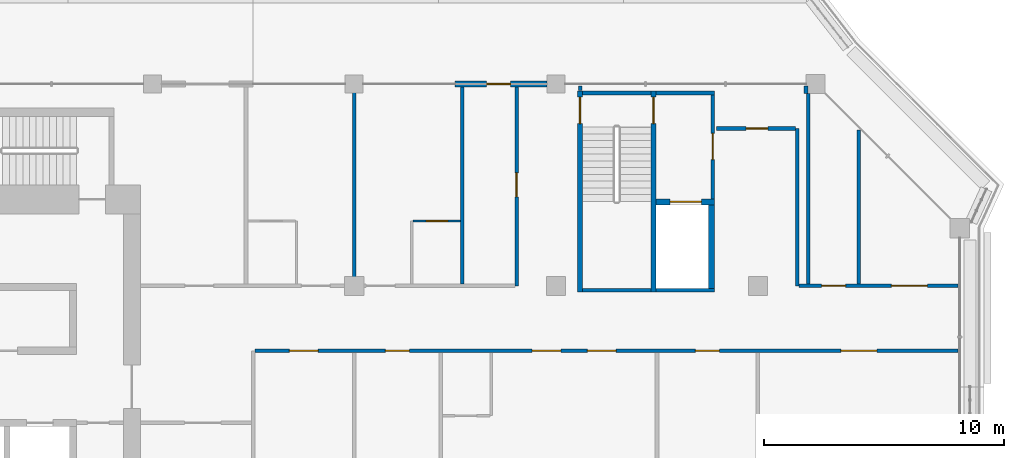
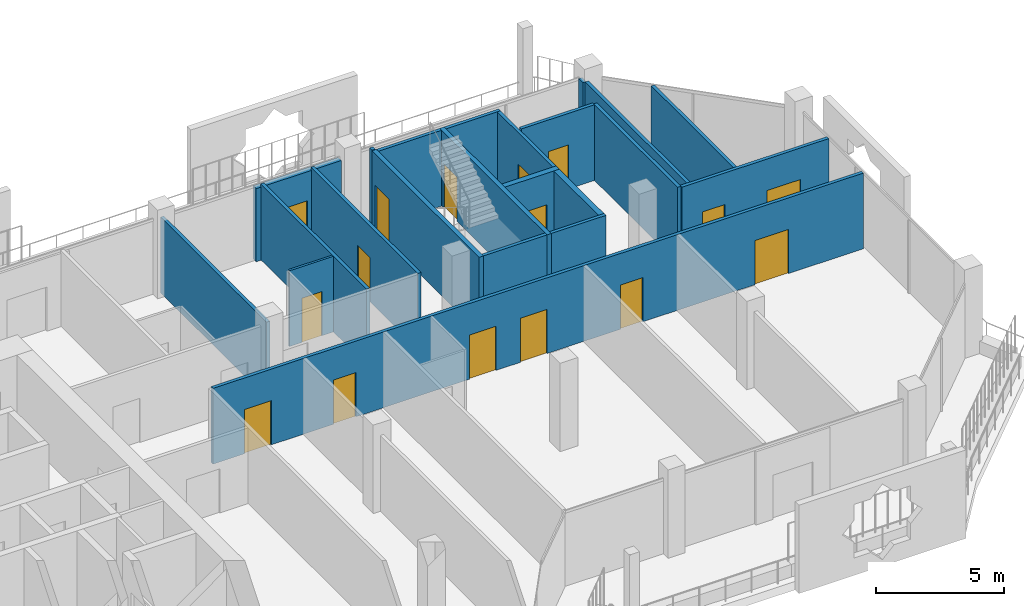
# One storey, part 13 of 21: 22 walls, 16 doors, 16 openings.
"""IFC4 building model written with IfcOpenShell, lengths in metres."""

from ifc_helpers import new_model, si_unit, direction, frame, frame_2d, origin, place, context, subcontext, project, spatial, rectangle, extrude, material, layer, layer_set, type_object, element, fill, save


model = new_model("IFC4")

# Units and contexts
model_context = context("Model", 3, precision=1e-05, world=origin(), true_north=direction((0.0, 1.0)))
body_context = subcontext(model_context, "Body", "Model", "MODEL_VIEW")
ifc_project = project(units=[si_unit("LENGTHUNIT", "METRE"), si_unit("AREAUNIT", "SQUARE_METRE"), si_unit("VOLUMEUNIT", "CUBIC_METRE"), si_unit("PLANEANGLEUNIT", "RADIAN"), si_unit("MASSUNIT", "GRAM", prefix="KILO")], contexts=[model_context])

# Site, building, storey
site_placement = place(None, origin())
site = spatial("IfcSite", under=ifc_project, at=site_placement, CompositionType="ELEMENT")
building_placement = place(site_placement, origin())
building = spatial("IfcBuilding", under=site, at=building_placement, Name="Kawkab Arch Medical Tower", CompositionType="ELEMENT")
storey_placement = place(building_placement, frame((0.0, 0.0, 307.0)))
storey = spatial("IfcBuildingStorey", under=building, at=storey_placement, Name="L71", CompositionType="ELEMENT", Elevation=307.0)

# Wall, opening, door
ifc_material_1 = material(Name="Gypsum board on steel studs", Category="steel")
ifc_layer_1 = layer(ifc_material_1, 0.14990234375)
ifc_layer_set_1 = layer_set([ifc_layer_1], Name="Gypsum board on steel studs")
wall_type_1 = type_object("IfcWallType", Name="Core room partition 150", PredefinedType="PARTITIONING", material=ifc_layer_set_1)
wall_1_placement = place(storey_placement, frame((48.52490234375, -4.77490234375, 0.0), z_axis=(0.0, 0.0, 1.0), x_axis=(0.0, 1.0, 0.0)))
wall_1 = element("IfcWall", 1, at=wall_1_placement, inside=storey, type_object=wall_type_1, Name="L71 core room partition", PredefinedType="PARTITIONING", context=body_context, shape_type="SweptSolid", body=[
    extrude(rectangle(XDim=4.324951171875, YDim=0.14990234375, at=frame_2d((2.16259765625, 0.0))), origin(), (0.0, 0.0, 1.0), 3.60009765625),
])
opening_1_placement = place(wall_1_placement, frame((1.625, 0.0, 0.0)))
opening_1 = element("IfcOpeningElement", 2, at=opening_1_placement, cuts=wall_1, Name="Opening FD", PredefinedType="OPENING", context=body_context, shape_type="SweptSolid", body=[
    extrude(rectangle(XDim=1.10009765625, YDim=2.10009765625, at=frame_2d((0.550048828125, 1.050048828125))), frame((0.0, 0.0849609375, 0.0), z_axis=(0.0, -1.0, 0.0), x_axis=(1.0, 0.0, 0.0)), (0.0, 0.0, 1.0), 0.169921875),
])
ifc_material_2 = material(Name="Hollow metal fire door leaf")
door_type_1 = type_object("IfcDoorType", Name="Firefighting lobby door 1100", OperationType="SINGLE_SWING_LEFT", PredefinedType="DOOR", material=ifc_material_2)
door_1_placement = place(opening_1_placement, origin())
door_1 = element("IfcDoor", 3, at=door_1_placement, inside=storey, type_object=door_type_1, Name="L71 Service lift lobby door SV1", OperationType="SINGLE_SWING_LEFT", OverallHeight=2.10009765625, OverallWidth=1.10009765625, PredefinedType="DOOR", context=body_context, shape_type="SweptSolid", body=[
    extrude(rectangle(XDim=1.10009765625, YDim=2.10009765625, at=frame_2d((0.550048828125, 1.050048828125))), frame((0.0, 0.02490234375, 0.0), z_axis=(0.0, -1.0, 0.0), x_axis=(1.0, 0.0, 0.0)), (0.0, 0.0, 1.0), 0.050048828125),
])
fill(opening_1, door_1)

ifc_material_3 = material(Name="Concrete C60/75", Category="concrete")
ifc_layer_2 = layer(ifc_material_3, 0.25)
ifc_layer_set_2 = layer_set([ifc_layer_2], Name="Concrete C60/75")
wall_type_2 = type_object("IfcWallType", Name="Core shear wall 250 C60/75", PredefinedType="SHEAR", material=ifc_layer_set_2)
wall_2_placement = place(storey_placement, frame((46.14990234375, -4.89990234375, 0.0), z_axis=(0.0, 0.0, 1.0), x_axis=(1.0, 0.0, 0.0)))
wall_2 = element("IfcWall", 4, at=wall_2_placement, inside=storey, type_object=wall_type_2, Name="L71 core shear wall", PredefinedType="SHEAR", context=body_context, shape_type="SweptSolid", body=[
    extrude(rectangle(XDim=2.4501953125, YDim=0.25, at=frame_2d((1.22509765625, 0.0))), origin(), (0.0, 0.0, 1.0), 3.60009765625),
])
opening_2_placement = place(wall_2_placement, frame((0.60009765625, 0.0, 0.0)))
opening_2 = element("IfcOpeningElement", 5, at=opening_2_placement, cuts=wall_2, Name="Opening LD2", PredefinedType="OPENING", context=body_context, shape_type="SweptSolid", body=[
    extrude(rectangle(XDim=1.300048828125, YDim=2.10009765625, at=frame_2d((0.64990234375, 1.050048828125))), frame((0.0, 0.135009765625, 0.0), z_axis=(0.0, -1.0, 0.0), x_axis=(1.0, 0.0, 0.0)), (0.0, 0.0, 1.0), 0.27001953125),
])
ifc_material_4 = material(Name="Stainless steel lift door leaf", Category="steel")
door_type_2 = type_object("IfcDoorType", Name="Lift landing door 1300", OperationType="DOUBLE_DOOR_SLIDING", PredefinedType="DOOR", material=ifc_material_4)
door_2_placement = place(opening_2_placement, origin())
door_2 = element("IfcDoor", 6, at=door_2_placement, inside=storey, type_object=door_type_2, Name="L71 Lift landing door SV1", OperationType="DOUBLE_DOOR_SLIDING", OverallHeight=2.10009765625, OverallWidth=1.300048828125, PredefinedType="DOOR", context=body_context, shape_type="SweptSolid", body=[
    extrude(rectangle(XDim=1.300048828125, YDim=2.10009765625, at=frame_2d((0.64990234375, 1.050048828125))), frame((0.0, 0.02490234375, 0.0), z_axis=(0.0, -1.0, 0.0), x_axis=(1.0, 0.0, 0.0)), (0.0, 0.0, 1.0), 0.050048828125),
])
fill(opening_2, door_2)

# Wall
wall_3_placement = place(storey_placement, frame((48.47509765625, -8.5, 0.0), z_axis=(0.0, 0.0, 1.0), x_axis=(0.0, 1.0, 0.0)))
element("IfcWall", 7, at=wall_3_placement, inside=storey, type_object=wall_type_2, Name="L71 core shear wall", PredefinedType="SHEAR", context=body_context, shape_type="SweptSolid", body=[
    extrude(rectangle(XDim=3.47509765625, YDim=0.25, at=frame_2d((1.737548828125, 0.0))), origin(), (0.0, 0.0, 1.0), 3.60009765625),
])

# Wall, opening, door
ifc_material_5 = material(Name="Bronze clad insulated wall panel")
ifc_layer_3 = layer(ifc_material_5, 0.25)
ifc_layer_set_3 = layer_set([ifc_layer_3], Name="Bronze clad insulated wall panel")
wall_type_3 = type_object("IfcWallType", Name="External wall bay 250", PredefinedType="SOLIDWALL", material=ifc_layer_set_3)
wall_4_placement = place(storey_placement, frame((41.625, 0.0, 0.0), z_axis=(0.0, 0.0, 1.0), x_axis=(-1.0, 0.0, 0.0)))
wall_4 = element("IfcWall", 8, at=wall_4_placement, inside=storey, type_object=wall_type_3, Name="External wall bay L71.R15.2.1", PredefinedType="SOLIDWALL", context=body_context, shape_type="SweptSolid", body=[
    extrude(rectangle(XDim=3.824951171875, YDim=0.25, at=frame_2d((1.91259765625, 0.0))), origin(), (0.0, 0.0, 1.0), 3.47998046875),
])
opening_3_placement = place(wall_4_placement, frame((1.512451171875, 0.0, 0.0)))
opening_3 = element("IfcOpeningElement", 9, at=opening_3_placement, cuts=wall_4, Name="Opening W71-702", PredefinedType="OPENING", context=body_context, shape_type="SweptSolid", body=[
    extrude(rectangle(XDim=1.0, YDim=2.10009765625, at=frame_2d((0.5, 1.050048828125))), frame((0.0, 0.135009765625, 0.0), z_axis=(0.0, -1.0, 0.0), x_axis=(1.0, 0.0, 0.0)), (0.0, 0.0, 1.0), 0.27001953125),
])
ifc_material_6 = material(Name="Bronze anodised aluminium door with tinted glass", Category="aluminium")
door_type_3 = type_object("IfcDoorType", Name="Single external door 1000 x 2100", OperationType="SINGLE_SWING_LEFT", PredefinedType="DOOR", material=ifc_material_6)
door_3_placement = place(opening_3_placement, origin())
door_3 = element("IfcDoor", 10, at=door_3_placement, inside=storey, type_object=door_type_3, Name="External door L71.R15.2.1", OperationType="SINGLE_SWING_LEFT", OverallHeight=2.10009765625, OverallWidth=1.0, PredefinedType="DOOR", context=body_context, shape_type="SweptSolid", body=[
    extrude(rectangle(XDim=1.0, YDim=2.10009765625, at=frame_2d((0.5, 1.050048828125))), frame((0.0, 0.02490234375, 0.0), z_axis=(0.0, -1.0, 0.0), x_axis=(1.0, 0.0, 0.0)), (0.0, 0.0, 1.0), 0.050048828125),
])
fill(opening_3, door_3)

ifc_material_7 = material(Name="Gypsum board partition on steel studs", Category="steel")
ifc_layer_4 = layer(ifc_material_7, 0.10009765625)
ifc_layer_set_4 = layer_set([ifc_layer_4], Name="Gypsum board partition on steel studs")
wall_type_4 = type_object("IfcWallType", Name="Partition 100", PredefinedType="PARTITIONING", material=ifc_layer_set_4)
wall_5_placement = place(storey_placement, frame((36.050048828125, -5.699951171875, 0.0), z_axis=(0.0, 0.0, 1.0), x_axis=(1.0, 0.0, 0.0)))
wall_5 = element("IfcWall", 11, at=wall_5_placement, inside=storey, type_object=wall_type_4, Name="Partition 100 w003", PredefinedType="PARTITIONING", context=body_context, shape_type="SweptSolid", body=[
    extrude(rectangle(XDim=1.974853515625, YDim=0.10009765625, at=frame_2d((0.9873046875, 0.0))), origin(), (0.0, 0.0, 1.0), 3.60009765625),
])
opening_4_placement = place(wall_5_placement, frame((0.550048828125, 0.0, 0.0)))
opening_4 = element("IfcOpeningElement", 12, at=opening_4_placement, cuts=wall_5, Name="Opening W71-005", PredefinedType="OPENING", context=body_context, shape_type="SweptSolid", body=[
    extrude(rectangle(XDim=0.89990234375, YDim=2.10009765625, at=frame_2d((0.449951171875, 1.050048828125))), frame((0.0, 0.06005859375, 0.0), z_axis=(0.0, -1.0, 0.0), x_axis=(1.0, 0.0, 0.0)), (0.0, 0.0, 1.0), 0.1201171875),
])
ifc_material_8 = material(Name="Timber door leaf", Category="wood")
door_type_4 = type_object("IfcDoorType", Name="Single door 900x2100", OperationType="NOTDEFINED", PredefinedType="DOOR", material=ifc_material_8)
door_4_placement = place(opening_4_placement, origin())
door_4 = element("IfcDoor", 13, at=door_4_placement, inside=storey, type_object=door_type_4, Name="Door W71-005", OperationType="SINGLE_SWING_RIGHT", OverallHeight=2.10009765625, OverallWidth=0.89990234375, PredefinedType="DOOR", context=body_context, shape_type="SweptSolid", body=[
    extrude(rectangle(XDim=0.89990234375, YDim=2.10009765625, at=frame_2d((0.449951171875, 1.050048828125))), frame((0.0, 0.02490234375, 0.0), z_axis=(0.0, -1.0, 0.0), x_axis=(1.0, 0.0, 0.0)), (0.0, 0.0, 1.0), 0.050048828125),
])
fill(opening_4, door_4)

# Wall, openings, doors
ifc_material_9 = material(Name="Gypsum board partition on steel studs, mineral wool", Category="steel")
ifc_layer_5 = layer(ifc_material_9, 0.14990234375)
ifc_layer_set_5 = layer_set([ifc_layer_5], Name="Gypsum board partition on steel studs, mineral wool")
wall_type_5 = type_object("IfcWallType", Name="Partition 150", PredefinedType="PARTITIONING", material=ifc_layer_set_5)
wall_6_placement = place(storey_placement, frame((29.47509765625, -11.10009765625, 0.0), z_axis=(0.0, 0.0, 1.0), x_axis=(1.0, 0.0, 0.0)))
wall_6 = element("IfcWall", 14, at=wall_6_placement, inside=storey, type_object=wall_type_5, Name="Partition 150 w014", PredefinedType="PARTITIONING", context=body_context, shape_type="SweptSolid", body=[
    extrude(rectangle(XDim=29.244873046875, YDim=0.14990234375, at=frame_2d((14.62255859375, 0.0))), origin(), (0.0, 0.0, 1.0), 3.60009765625),
])
opening_5_placement = place(wall_6_placement, frame((1.425048828125, 0.0, 0.0)))
opening_5 = element("IfcOpeningElement", 15, at=opening_5_placement, cuts=wall_6, Name="Opening W71-018", PredefinedType="OPENING", context=body_context, shape_type="SweptSolid", body=[
    extrude(rectangle(XDim=1.199951171875, YDim=2.10009765625, at=frame_2d((0.60009765625, 1.050048828125))), frame((0.0, 0.0849609375, 0.0), z_axis=(0.0, -1.0, 0.0), x_axis=(1.0, 0.0, 0.0)), (0.0, 0.0, 1.0), 0.169921875),
])
opening_6_placement = place(wall_6_placement, frame((5.425048828125, 0.0, 0.0)))
opening_6 = element("IfcOpeningElement", 16, at=opening_6_placement, cuts=wall_6, Name="Opening W71-010", PredefinedType="OPENING", context=body_context, shape_type="SweptSolid", body=[
    extrude(rectangle(XDim=1.0, YDim=2.10009765625, at=frame_2d((0.5, 1.050048828125))), frame((0.0, 0.0849609375, 0.0), z_axis=(0.0, -1.0, 0.0), x_axis=(1.0, 0.0, 0.0)), (0.0, 0.0, 1.0), 0.169921875),
])
opening_7_placement = place(wall_6_placement, frame((13.824951171875, 0.0, 0.0)))
opening_7 = element("IfcOpeningElement", 17, at=opening_7_placement, cuts=wall_6, Name="Opening W71-019", PredefinedType="OPENING", context=body_context, shape_type="SweptSolid", body=[
    extrude(rectangle(XDim=1.199951171875, YDim=2.10009765625, at=frame_2d((0.60009765625, 1.050048828125))), frame((0.0, 0.0849609375, 0.0), z_axis=(0.0, -1.0, 0.0), x_axis=(1.0, 0.0, 0.0)), (0.0, 0.0, 1.0), 0.169921875),
])
opening_8_placement = place(wall_6_placement, frame((11.52490234375, 0.0, 0.0)))
opening_8 = element("IfcOpeningElement", 18, at=opening_8_placement, cuts=wall_6, Name="Opening W71-020", PredefinedType="OPENING", context=body_context, shape_type="SweptSolid", body=[
    extrude(rectangle(XDim=1.199951171875, YDim=2.10009765625, at=frame_2d((0.60009765625, 1.050048828125))), frame((0.0, 0.0849609375, 0.0), z_axis=(0.0, -1.0, 0.0), x_axis=(1.0, 0.0, 0.0)), (0.0, 0.0, 1.0), 0.169921875),
])
opening_9_placement = place(wall_6_placement, frame((18.324951171875, 0.0, 0.0)))
opening_9 = element("IfcOpeningElement", 19, at=opening_9_placement, cuts=wall_6, Name="Opening W71-011", PredefinedType="OPENING", context=body_context, shape_type="SweptSolid", body=[
    extrude(rectangle(XDim=1.0, YDim=2.10009765625, at=frame_2d((0.5, 1.050048828125))), frame((0.0, 0.0849609375, 0.0), z_axis=(0.0, -1.0, 0.0), x_axis=(1.0, 0.0, 0.0)), (0.0, 0.0, 1.0), 0.169921875),
])
opening_10_placement = place(wall_6_placement, frame((24.375, 0.0, 0.0)))
opening_10 = element("IfcOpeningElement", 20, at=opening_10_placement, cuts=wall_6, Name="Opening W71-002", PredefinedType="OPENING", context=body_context, shape_type="SweptSolid", body=[
    extrude(rectangle(XDim=1.5, YDim=2.10009765625, at=frame_2d((0.75, 1.050048828125))), frame((0.0, 0.0849609375, 0.0), z_axis=(0.0, -1.0, 0.0), x_axis=(1.0, 0.0, 0.0)), (0.0, 0.0, 1.0), 0.169921875),
])
ifc_material_10 = material(Name="Hollow metal door leaf")
door_type_5 = type_object("IfcDoorType", Name="Double door 1500x2100 FD30S", OperationType="NOTDEFINED", PredefinedType="DOOR", material=ifc_material_10)
door_5_placement = place(opening_10_placement, origin())
door_5 = element("IfcDoor", 21, at=door_5_placement, inside=storey, type_object=door_type_5, Name="Door W71-002", OperationType="DOUBLE_DOOR_SINGLE_SWING", OverallHeight=2.10009765625, OverallWidth=1.5, PredefinedType="DOOR", context=body_context, shape_type="SweptSolid", body=[
    extrude(rectangle(XDim=1.5, YDim=2.10009765625, at=frame_2d((0.75, 1.050048828125))), frame((0.0, 0.02490234375, 0.0), z_axis=(0.0, -1.0, 0.0), x_axis=(1.0, 0.0, 0.0)), (0.0, 0.0, 1.0), 0.050048828125),
])
fill(opening_10, door_5)
ifc_material_11 = material(Name="Hollow metal door leaf")
door_type_6 = type_object("IfcDoorType", Name="Single door 1000x2100 FD30S", OperationType="NOTDEFINED", PredefinedType="DOOR", material=ifc_material_11)
door_6_placement = place(opening_6_placement, origin())
door_6 = element("IfcDoor", 22, at=door_6_placement, inside=storey, type_object=door_type_6, Name="Door W71-010", OperationType="SINGLE_SWING_RIGHT", OverallHeight=2.10009765625, OverallWidth=1.0, PredefinedType="DOOR", context=body_context, shape_type="SweptSolid", body=[
    extrude(rectangle(XDim=1.0, YDim=2.10009765625, at=frame_2d((0.5, 1.050048828125))), frame((0.0, 0.02490234375, 0.0), z_axis=(0.0, -1.0, 0.0), x_axis=(1.0, 0.0, 0.0)), (0.0, 0.0, 1.0), 0.050048828125),
])
fill(opening_6, door_6)
door_7_placement = place(opening_9_placement, origin())
door_7 = element("IfcDoor", 23, at=door_7_placement, inside=storey, type_object=door_type_6, Name="Door W71-011", OperationType="SINGLE_SWING_LEFT", OverallHeight=2.10009765625, OverallWidth=1.0, PredefinedType="DOOR", context=body_context, shape_type="SweptSolid", body=[
    extrude(rectangle(XDim=1.0, YDim=2.10009765625, at=frame_2d((0.5, 1.050048828125))), frame((0.0, 0.02490234375, 0.0), z_axis=(0.0, -1.0, 0.0), x_axis=(1.0, 0.0, 0.0)), (0.0, 0.0, 1.0), 0.050048828125),
])
fill(opening_9, door_7)
ifc_material_12 = material(Name="Hollow metal door leaf")
door_type_7 = type_object("IfcDoorType", Name="Single door 1200x2100 FD30S", OperationType="NOTDEFINED", PredefinedType="DOOR", material=ifc_material_12)
door_8_placement = place(opening_5_placement, origin())
door_8 = element("IfcDoor", 24, at=door_8_placement, inside=storey, type_object=door_type_7, Name="Door W71-018", OperationType="SINGLE_SWING_RIGHT", OverallHeight=2.10009765625, OverallWidth=1.199951171875, PredefinedType="DOOR", context=body_context, shape_type="SweptSolid", body=[
    extrude(rectangle(XDim=1.199951171875, YDim=2.10009765625, at=frame_2d((0.60009765625, 1.050048828125))), frame((0.0, 0.02490234375, 0.0), z_axis=(0.0, -1.0, 0.0), x_axis=(1.0, 0.0, 0.0)), (0.0, 0.0, 1.0), 0.050048828125),
])
fill(opening_5, door_8)
door_9_placement = place(opening_7_placement, origin())
door_9 = element("IfcDoor", 25, at=door_9_placement, inside=storey, type_object=door_type_7, Name="Door W71-019", OperationType="SINGLE_SWING_LEFT", OverallHeight=2.10009765625, OverallWidth=1.199951171875, PredefinedType="DOOR", context=body_context, shape_type="SweptSolid", body=[
    extrude(rectangle(XDim=1.199951171875, YDim=2.10009765625, at=frame_2d((0.60009765625, 1.050048828125))), frame((0.0, 0.02490234375, 0.0), z_axis=(0.0, -1.0, 0.0), x_axis=(1.0, 0.0, 0.0)), (0.0, 0.0, 1.0), 0.050048828125),
])
fill(opening_7, door_9)
door_10_placement = place(opening_8_placement, origin())
door_10 = element("IfcDoor", 26, at=door_10_placement, inside=storey, type_object=door_type_7, Name="Door W71-020", OperationType="SINGLE_SWING_RIGHT", OverallHeight=2.10009765625, OverallWidth=1.199951171875, PredefinedType="DOOR", context=body_context, shape_type="SweptSolid", body=[
    extrude(rectangle(XDim=1.199951171875, YDim=2.10009765625, at=frame_2d((0.60009765625, 1.050048828125))), frame((0.0, 0.02490234375, 0.0), z_axis=(0.0, -1.0, 0.0), x_axis=(1.0, 0.0, 0.0)), (0.0, 0.0, 1.0), 0.050048828125),
])
fill(opening_8, door_10)

wall_7_placement = place(storey_placement, frame((52.117919921875, -8.39990234375, 0.0), z_axis=(0.0, 0.0, 1.0), x_axis=(1.0, 0.0, 0.0)))
wall_7 = element("IfcWall", 27, at=wall_7_placement, inside=storey, type_object=wall_type_5, Name="Partition 150 w017", PredefinedType="PARTITIONING", context=body_context, shape_type="SweptSolid", body=[
    extrude(rectangle(XDim=6.60205078125, YDim=0.14990234375, at=frame_2d((3.301025390625, 0.0))), origin(), (0.0, 0.0, 1.0), 3.60009765625),
])
opening_11_placement = place(wall_7_placement, frame((0.931884765625, 0.0, 0.0)))
opening_11 = element("IfcOpeningElement", 28, at=opening_11_placement, cuts=wall_7, Name="Opening W71-008", PredefinedType="OPENING", context=body_context, shape_type="SweptSolid", body=[
    extrude(rectangle(XDim=1.0, YDim=2.10009765625, at=frame_2d((0.5, 1.050048828125))), frame((0.0, 0.0849609375, 0.0), z_axis=(0.0, -1.0, 0.0), x_axis=(1.0, 0.0, 0.0)), (0.0, 0.0, 1.0), 0.169921875),
])
opening_12_placement = place(wall_7_placement, frame((3.83203125, 0.0, 0.0)))
opening_12 = element("IfcOpeningElement", 29, at=opening_12_placement, cuts=wall_7, Name="Opening W71-003", PredefinedType="OPENING", context=body_context, shape_type="SweptSolid", body=[
    extrude(rectangle(XDim=1.5, YDim=2.10009765625, at=frame_2d((0.75, 1.050048828125))), frame((0.0, 0.0849609375, 0.0), z_axis=(0.0, -1.0, 0.0), x_axis=(1.0, 0.0, 0.0)), (0.0, 0.0, 1.0), 0.169921875),
])
door_11_placement = place(opening_12_placement, origin())
door_11 = element("IfcDoor", 30, at=door_11_placement, inside=storey, type_object=door_type_5, Name="Door W71-003", OperationType="DOUBLE_DOOR_SINGLE_SWING", OverallHeight=2.10009765625, OverallWidth=1.5, PredefinedType="DOOR", context=body_context, shape_type="SweptSolid", body=[
    extrude(rectangle(XDim=1.5, YDim=2.10009765625, at=frame_2d((0.75, 1.050048828125))), frame((0.0, 0.02490234375, 0.0), z_axis=(0.0, -1.0, 0.0), x_axis=(1.0, 0.0, 0.0)), (0.0, 0.0, 1.0), 0.050048828125),
])
fill(opening_12, door_11)
ifc_material_13 = material(Name="Timber door leaf", Category="wood")
door_type_8 = type_object("IfcDoorType", Name="Single door 1000x2100", OperationType="NOTDEFINED", PredefinedType="DOOR", material=ifc_material_13)
door_12_placement = place(opening_11_placement, origin())
door_12 = element("IfcDoor", 31, at=door_12_placement, inside=storey, type_object=door_type_8, Name="Door W71-008", OperationType="SINGLE_SWING_LEFT", OverallHeight=2.10009765625, OverallWidth=1.0, PredefinedType="DOOR", context=body_context, shape_type="SweptSolid", body=[
    extrude(rectangle(XDim=1.0, YDim=2.10009765625, at=frame_2d((0.5, 1.050048828125))), frame((0.0, 0.02490234375, 0.0), z_axis=(0.0, -1.0, 0.0), x_axis=(1.0, 0.0, 0.0)), (0.0, 0.0, 1.0), 0.050048828125),
])
fill(opening_11, door_12)

# Wall, opening, door
wall_8_placement = place(storey_placement, frame((48.679931640625, -1.85009765625, 0.0), z_axis=(0.0, 0.0, 1.0), x_axis=(1.0, 0.0, 0.0)))
wall_8 = element("IfcWall", 32, at=wall_8_placement, inside=storey, type_object=wall_type_5, Name="Partition 150 w018", PredefinedType="PARTITIONING", context=body_context, shape_type="SweptSolid", body=[
    extrude(rectangle(XDim=3.2861328125, YDim=0.14990234375, at=frame_2d((1.64306640625, 0.0))), origin(), (0.0, 0.0, 1.0), 3.60009765625),
])
opening_13_placement = place(wall_8_placement, frame((1.22998046875, 0.0, 0.0)))
opening_13 = element("IfcOpeningElement", 33, at=opening_13_placement, cuts=wall_8, Name="Opening W71-007", PredefinedType="OPENING", context=body_context, shape_type="SweptSolid", body=[
    extrude(rectangle(XDim=0.89990234375, YDim=2.10009765625, at=frame_2d((0.449951171875, 1.050048828125))), frame((0.0, 0.0849609375, 0.0), z_axis=(0.0, -1.0, 0.0), x_axis=(1.0, 0.0, 0.0)), (0.0, 0.0, 1.0), 0.169921875),
])
door_13_placement = place(opening_13_placement, origin())
door_13 = element("IfcDoor", 34, at=door_13_placement, inside=storey, type_object=door_type_4, Name="Door W71-007", OperationType="SINGLE_SWING_RIGHT", OverallHeight=2.10009765625, OverallWidth=0.89990234375, PredefinedType="DOOR", context=body_context, shape_type="SweptSolid", body=[
    extrude(rectangle(XDim=0.89990234375, YDim=2.10009765625, at=frame_2d((0.449951171875, 1.050048828125))), frame((0.0, 0.02490234375, 0.0), z_axis=(0.0, -1.0, 0.0), x_axis=(1.0, 0.0, 0.0)), (0.0, 0.0, 1.0), 0.050048828125),
])
fill(opening_13, door_13)

# Walls
for number, where, z_axis, x_axis, name in (
    (35, (33.60009765625, -8.324951171875, 0.0), (0.0, 0.0, 1.0), (0.0, 1.0, 0.0), "Partition 150 w026"),
    (36, (38.10009765625, -8.324951171875, 0.0), (0.0, 0.0, 1.0), (0.0, 1.0, 0.0), "Partition 150 w028"),
):
    element("IfcWall", number, at=place(storey_placement, frame(where, z_axis=z_axis, x_axis=x_axis)), inside=storey, type_object=wall_type_5, Name=name, PredefinedType="PARTITIONING", context=body_context, shape_type="SweptSolid", body=[
        extrude(rectangle(XDim=8.244873046875, YDim=0.14990234375, at=frame_2d((4.12255859375, 0.0))), origin(), (0.0, 0.0, 1.0), 3.60009765625),
    ])

# Wall, opening, door
wall_9_placement = place(storey_placement, frame((40.35693359375, -8.39990234375, 0.0), z_axis=(0.0, 0.0, 1.0), x_axis=(0.0, 1.0, 0.0)))
wall_9 = element("IfcWall", 37, at=wall_9_placement, inside=storey, type_object=wall_type_5, Name="Partition 150 w029", PredefinedType="PARTITIONING", context=body_context, shape_type="SweptSolid", body=[
    extrude(rectangle(XDim=8.31982421875, YDim=0.14990234375, at=frame_2d((4.159912109375, 0.0))), origin(), (0.0, 0.0, 1.0), 3.60009765625),
])
opening_14_placement = place(wall_9_placement, frame((3.699951171875, 0.0, 0.0)))
opening_14 = element("IfcOpeningElement", 38, at=opening_14_placement, cuts=wall_9, Name="Opening W71-009", PredefinedType="OPENING", context=body_context, shape_type="SweptSolid", body=[
    extrude(rectangle(XDim=1.0, YDim=2.10009765625, at=frame_2d((0.5, 1.050048828125))), frame((0.0, 0.0849609375, 0.0), z_axis=(0.0, -1.0, 0.0), x_axis=(1.0, 0.0, 0.0)), (0.0, 0.0, 1.0), 0.169921875),
])
door_14_placement = place(opening_14_placement, origin())
door_14 = element("IfcDoor", 39, at=door_14_placement, inside=storey, type_object=door_type_6, Name="Door W71-009", OperationType="SINGLE_SWING_LEFT", OverallHeight=2.10009765625, OverallWidth=1.0, PredefinedType="DOOR", context=body_context, shape_type="SweptSolid", body=[
    extrude(rectangle(XDim=1.0, YDim=2.10009765625, at=frame_2d((0.5, 1.050048828125))), frame((0.0, 0.02490234375, 0.0), z_axis=(0.0, -1.0, 0.0), x_axis=(1.0, 0.0, 0.0)), (0.0, 0.0, 1.0), 0.050048828125),
])
fill(opening_14, door_14)

# Walls
wall_10_placement = place(storey_placement, frame((43.0, -0.27001953125, 0.0), z_axis=(0.0, 0.0, 1.0), x_axis=(0.0, 1.0, 0.0)))
element("IfcWall", 40, at=wall_10_placement, inside=storey, type_object=wall_type_5, Name="Partition 150 w030", PredefinedType="PARTITIONING", context=body_context, shape_type="SweptSolid", body=[
    extrude(rectangle(XDim=0.18994140625, YDim=0.14990234375, at=frame_2d((0.094970703125, 0.0))), origin(), (0.0, 0.0, 1.0), 3.60009765625),
])
wall_11_placement = place(storey_placement, frame((52.04296875, -8.39990234375, 0.0), z_axis=(0.0, 0.0, 1.0), x_axis=(0.0, 1.0, 0.0)))
element("IfcWall", 41, at=wall_11_placement, inside=storey, type_object=wall_type_5, Name="Partition 150 w033", PredefinedType="PARTITIONING", context=body_context, shape_type="SweptSolid", body=[
    extrude(rectangle(XDim=6.5478515625, YDim=0.14990234375, at=frame_2d((3.27392578125, 0.0))), origin(), (0.0, 0.0, 1.0), 3.60009765625),
])
wall_12_placement = place(storey_placement, frame((52.39990234375, -0.39990234375, 0.0), z_axis=(0.0, 0.0, 1.0), x_axis=(0.0, 1.0, 0.0)))
element("IfcWall", 42, at=wall_12_placement, inside=storey, type_object=wall_type_5, Name="Partition 150 w034", PredefinedType="PARTITIONING", context=body_context, shape_type="SweptSolid", body=[
    extrude(rectangle(XDim=0.31982421875, YDim=0.14990234375, at=frame_2d((0.159912109375, 0.0))), origin(), (0.0, 0.0, 1.0), 3.60009765625),
])
wall_13_placement = place(storey_placement, frame((52.5, -8.324951171875, 0.0), z_axis=(0.0, 0.0, 1.0), x_axis=(0.0, 1.0, 0.0)))
element("IfcWall", 43, at=wall_13_placement, inside=storey, type_object=wall_type_5, Name="Partition 150 w035", PredefinedType="PARTITIONING", context=body_context, shape_type="SweptSolid", body=[
    extrude(rectangle(XDim=7.9228515625, YDim=0.14990234375, at=frame_2d((3.96142578125, 0.0))), origin(), (0.0, 0.0, 1.0), 3.60009765625),
])
wall_14_placement = place(storey_placement, frame((54.60009765625, -8.324951171875, 0.0), z_axis=(0.0, 0.0, 1.0), x_axis=(0.0, 1.0, 0.0)))
element("IfcWall", 44, at=wall_14_placement, inside=storey, type_object=wall_type_5, Name="Partition 150 w036", PredefinedType="PARTITIONING", context=body_context, shape_type="SweptSolid", body=[
    extrude(rectangle(XDim=6.411865234375, YDim=0.14990234375, at=frame_2d((3.2060546875, 0.0))), origin(), (0.0, 0.0, 1.0), 3.60009765625),
])
ifc_material_14 = material(Name="Concrete C50/60", Category="concrete")
ifc_layer_6 = layer(ifc_material_14, 0.14990234375)
ifc_layer_set_6 = layer_set([ifc_layer_6], Name="Concrete C50/60")
wall_type_6 = type_object("IfcWallType", Name="Stair enclosure wall 150 C50/60", PredefinedType="SHEAR", material=ifc_layer_set_6)
wall_15_placement = place(storey_placement, frame((43.10009765625, -0.375, 0.0), z_axis=(0.0, 0.0, 1.0), x_axis=(1.0, 0.0, 0.0)))
element("IfcWall", 45, at=wall_15_placement, inside=storey, type_object=wall_type_6, Name="L71 stair enclosure wall", PredefinedType="SHEAR", context=body_context, shape_type="SweptSolid", body=[
    extrude(rectangle(XDim=2.849853515625, YDim=0.14990234375, at=frame_2d((1.4248046875, 0.0))), origin(), (0.0, 0.0, 1.0), 3.60009765625),
])
wall_16_placement = place(storey_placement, frame((46.14990234375, -0.375, 0.0), z_axis=(0.0, 0.0, 1.0), x_axis=(1.0, 0.0, 0.0)))
element("IfcWall", 46, at=wall_16_placement, inside=storey, type_object=wall_type_6, Name="L71 stair enclosure wall", PredefinedType="SHEAR", context=body_context, shape_type="SweptSolid", body=[
    extrude(rectangle(XDim=2.4501953125, YDim=0.14990234375, at=frame_2d((1.22509765625, 0.0))), origin(), (0.0, 0.0, 1.0), 3.60009765625),
])
wall_17_placement = place(storey_placement, frame((43.10009765625, -8.574951171875, 0.0), z_axis=(0.0, 0.0, 1.0), x_axis=(1.0, 0.0, 0.0)))
element("IfcWall", 47, at=wall_17_placement, inside=storey, type_object=wall_type_6, Name="L71 stair enclosure wall", PredefinedType="SHEAR", context=body_context, shape_type="SweptSolid", body=[
    extrude(rectangle(XDim=2.849853515625, YDim=0.14990234375, at=frame_2d((1.4248046875, 0.0))), origin(), (0.0, 0.0, 1.0), 3.60009765625),
])
wall_18_placement = place(storey_placement, frame((46.14990234375, -8.574951171875, 0.0), z_axis=(0.0, 0.0, 1.0), x_axis=(1.0, 0.0, 0.0)))
element("IfcWall", 48, at=wall_18_placement, inside=storey, type_object=wall_type_6, Name="L71 stair enclosure wall", PredefinedType="SHEAR", context=body_context, shape_type="SweptSolid", body=[
    extrude(rectangle(XDim=2.4501953125, YDim=0.14990234375, at=frame_2d((1.22509765625, 0.0))), origin(), (0.0, 0.0, 1.0), 3.60009765625),
])

# Wall, opening, door
ifc_material_15 = material(Name="Concrete C50/60", Category="concrete")
ifc_layer_7 = layer(ifc_material_15, 0.199951171875)
ifc_layer_set_7 = layer_set([ifc_layer_7], Name="Concrete C50/60")
wall_type_7 = type_object("IfcWallType", Name="Stair enclosure wall 200 C50/60", PredefinedType="SHEAR", material=ifc_layer_set_7)
wall_19_placement = place(storey_placement, frame((43.0, -8.64990234375, 0.0), z_axis=(0.0, 0.0, 1.0), x_axis=(0.0, 1.0, 0.0)))
wall_19 = element("IfcWall", 49, at=wall_19_placement, inside=storey, type_object=wall_type_7, Name="L71 stair enclosure wall", PredefinedType="SHEAR", context=body_context, shape_type="SweptSolid", body=[
    extrude(rectangle(XDim=8.349853515625, YDim=0.199951171875, at=frame_2d((4.1748046875, 0.0))), origin(), (0.0, 0.0, 1.0), 3.60009765625),
])
opening_15_placement = place(wall_19_placement, frame((7.0, 0.0, 0.0)))
opening_15 = element("IfcOpeningElement", 50, at=opening_15_placement, cuts=wall_19, Name="Opening SD", PredefinedType="OPENING", context=body_context, shape_type="SweptSolid", body=[
    extrude(rectangle(XDim=1.10009765625, YDim=2.10009765625, at=frame_2d((0.550048828125, 1.050048828125))), frame((0.0, 0.10986328125, 0.0), z_axis=(0.0, -1.0, 0.0), x_axis=(1.0, 0.0, 0.0)), (0.0, 0.0, 1.0), 0.219970703125),
])
ifc_material_16 = material(Name="Hollow metal fire door leaf")
door_type_9 = type_object("IfcDoorType", Name="Exit stair door 1100", OperationType="SINGLE_SWING_LEFT", PredefinedType="DOOR", material=ifc_material_16)
door_15_placement = place(opening_15_placement, frame((1.10009765625, 0.0, 0.0), z_axis=(0.0, 0.0, 1.0), x_axis=(-1.0, 0.0, 0.0)))
door_15 = element("IfcDoor", 51, at=door_15_placement, inside=storey, type_object=door_type_9, Name="L71 Exit stair ST5 door", OperationType="SINGLE_SWING_LEFT", OverallHeight=2.10009765625, OverallWidth=1.10009765625, PredefinedType="DOOR", context=body_context, shape_type="SweptSolid", body=[
    extrude(rectangle(XDim=1.10009765625, YDim=2.10009765625, at=frame_2d((0.550048828125, 1.050048828125))), frame((0.0, 0.02490234375, 0.0), z_axis=(0.0, -1.0, 0.0), x_axis=(1.0, 0.0, 0.0)), (0.0, 0.0, 1.0), 0.050048828125),
])
fill(opening_15, door_15)

wall_20_placement = place(storey_placement, frame((46.050048828125, -8.64990234375, 0.0), z_axis=(0.0, 0.0, 1.0), x_axis=(0.0, 1.0, 0.0)))
wall_20 = element("IfcWall", 52, at=wall_20_placement, inside=storey, type_object=wall_type_7, Name="L71 stair enclosure wall", PredefinedType="SHEAR", context=body_context, shape_type="SweptSolid", body=[
    extrude(rectangle(XDim=8.349853515625, YDim=0.199951171875, at=frame_2d((4.1748046875, 0.0))), origin(), (0.0, 0.0, 1.0), 3.60009765625),
])
opening_16_placement = place(wall_20_placement, frame((7.0, 0.0, 0.0)))
opening_16 = element("IfcOpeningElement", 53, at=opening_16_placement, cuts=wall_20, Name="Opening SD", PredefinedType="OPENING", context=body_context, shape_type="SweptSolid", body=[
    extrude(rectangle(XDim=1.10009765625, YDim=2.10009765625, at=frame_2d((0.550048828125, 1.050048828125))), frame((0.0, 0.10986328125, 0.0), z_axis=(0.0, -1.0, 0.0), x_axis=(1.0, 0.0, 0.0)), (0.0, 0.0, 1.0), 0.219970703125),
])
door_16_placement = place(opening_16_placement, origin())
door_16 = element("IfcDoor", 54, at=door_16_placement, inside=storey, type_object=door_type_9, Name="L71 Exit stair ST5 lobby door", OperationType="SINGLE_SWING_LEFT", OverallHeight=2.10009765625, OverallWidth=1.10009765625, PredefinedType="DOOR", context=body_context, shape_type="SweptSolid", body=[
    extrude(rectangle(XDim=1.10009765625, YDim=2.10009765625, at=frame_2d((0.550048828125, 1.050048828125))), frame((0.0, 0.02490234375, 0.0), z_axis=(0.0, -1.0, 0.0), x_axis=(1.0, 0.0, 0.0)), (0.0, 0.0, 1.0), 0.050048828125),
])
fill(opening_16, door_16)

save(model, "model.ifc")
